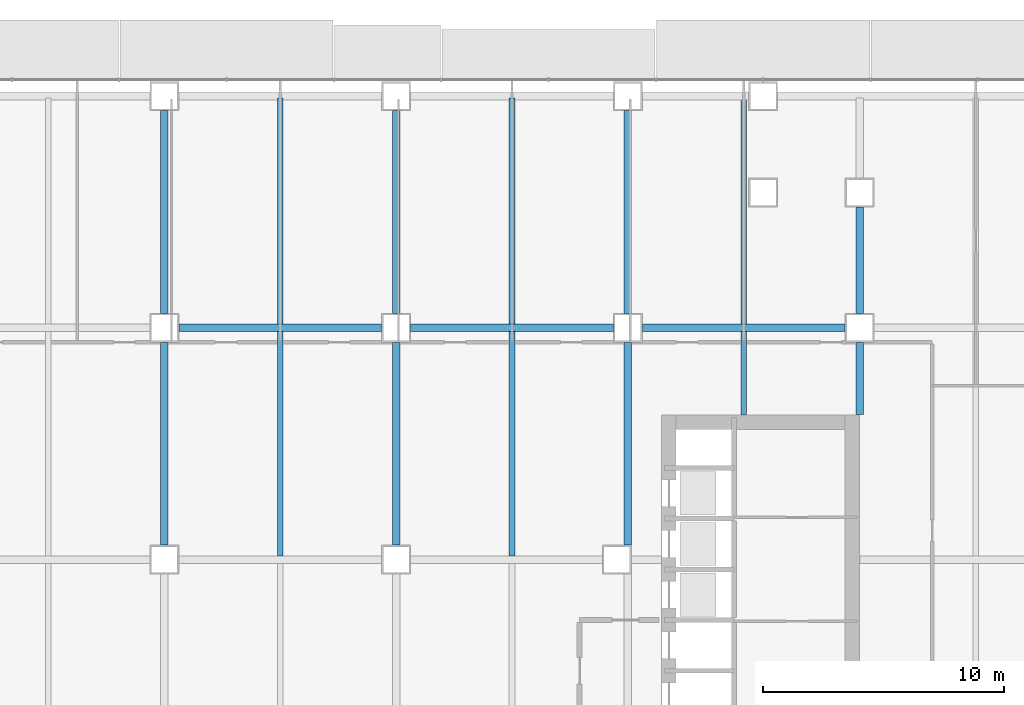
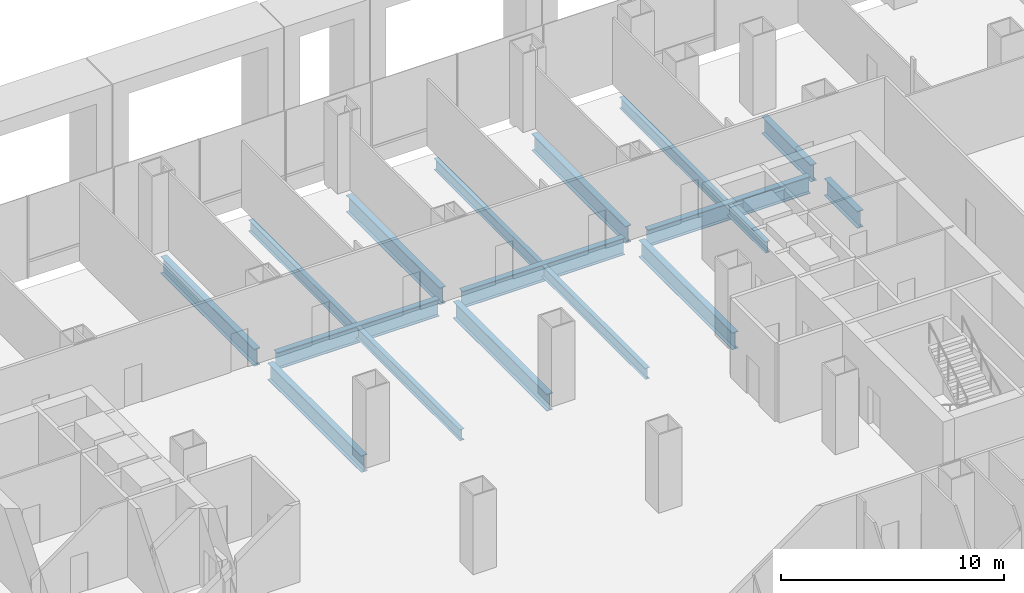
# One storey, part 8 of 23: 17 beams.
"""IFC4 building model written with IfcOpenShell, lengths in metres."""

from ifc_helpers import new_model, si_unit, direction, frame, origin, origin_2d, place, context, subcontext, project, spatial, i_section, extrude, material, material_profile, profile_set, type_object, element, save


model = new_model("IFC4")

# Units and contexts
model_context = context("Model", 3, precision=1e-05, world=origin(), true_north=direction((0.0, 1.0)))
body_context = subcontext(model_context, "Body", "Model", "MODEL_VIEW")
ifc_project = project(units=[si_unit("LENGTHUNIT", "METRE"), si_unit("AREAUNIT", "SQUARE_METRE"), si_unit("VOLUMEUNIT", "CUBIC_METRE"), si_unit("PLANEANGLEUNIT", "RADIAN"), si_unit("MASSUNIT", "GRAM", prefix="KILO")], contexts=[model_context])

# Site, building, storey
site_placement = place(None, origin())
site = spatial("IfcSite", under=ifc_project, at=site_placement, CompositionType="ELEMENT")
building_placement = place(site_placement, origin())
building = spatial("IfcBuilding", under=site, at=building_placement, Name="Cobrizo Arcos Hotel Tower", CompositionType="ELEMENT")
storey_placement = place(building_placement, frame((0.0, 0.0, 15.5)))
storey = spatial("IfcBuildingStorey", under=building, at=storey_placement, Name="L02", CompositionType="ELEMENT", Elevation=15.5)

# Beams
ifc_material = material(Name="Steel ASTM A992 Grade 50", Category="steel")
ifc_material_profile_1 = material_profile(ifc_material, i_section(OverallWidth=0.23046875, OverallDepth=0.6171875, WebThickness=0.01318359375, FlangeThickness=0.022216796875, at=origin_2d()), Name="W24X94")
ifc_profile_set_1 = profile_set([ifc_material_profile_1], Name="Steel ASTM A992 Grade 50")
beam_type_1 = type_object("IfcBeamType", Name="W24X94 podium joist", PredefinedType="JOIST", material=ifc_profile_set_1)
beam_1_placement = place(storey_placement, frame((0.0, 4.95361328125, -0.508544921875), z_axis=(0.0, 1.0, 0.0), x_axis=(-1.0, 0.0, 0.0)))
element("IfcBeam", 1, at=beam_1_placement, inside=storey, type_object=beam_type_1, Name="Podium joist PJ1, L02, no. 018", PredefinedType="JOIST", context=body_context, shape_type="SweptSolid", body=[
    extrude(i_section(OverallWidth=0.23046875, OverallDepth=0.6171875, WebThickness=0.01318359375, FlangeThickness=0.022216796875, at=origin_2d()), origin(), (0.0, 0.0, 1.0), 9.292724609375),
])
beam_2_placement = place(storey_placement, frame((0.0, 14.5537109375, -0.508544921875), z_axis=(0.0, 1.0, 0.0), x_axis=(-1.0, 0.0, 0.0)))
element("IfcBeam", 2, at=beam_2_placement, inside=storey, type_object=beam_type_1, Name="Podium joist PJ1, L02, no. 019", PredefinedType="JOIST", context=body_context, shape_type="SweptSolid", body=[
    extrude(i_section(OverallWidth=0.23046875, OverallDepth=0.6171875, WebThickness=0.01318359375, FlangeThickness=0.022216796875, at=origin_2d()), origin(), (0.0, 0.0, 1.0), 9.356201171875),
])
beam_3_placement = place(storey_placement, frame((9.60009765625, 4.95361328125, -0.508544921875), z_axis=(0.0, 1.0, 0.0), x_axis=(-1.0, 0.0, 0.0)))
element("IfcBeam", 3, at=beam_3_placement, inside=storey, type_object=beam_type_1, Name="Podium joist PJ1, L02, no. 023", PredefinedType="JOIST", context=body_context, shape_type="SweptSolid", body=[
    extrude(i_section(OverallWidth=0.23046875, OverallDepth=0.6171875, WebThickness=0.01318359375, FlangeThickness=0.022216796875, at=origin_2d()), origin(), (0.0, 0.0, 1.0), 9.292724609375),
])
beam_4_placement = place(storey_placement, frame((9.60009765625, 14.5537109375, -0.508544921875), z_axis=(0.0, 1.0, 0.0), x_axis=(-1.0, 0.0, 0.0)))
element("IfcBeam", 4, at=beam_4_placement, inside=storey, type_object=beam_type_1, Name="Podium joist PJ1, L02, no. 024", PredefinedType="JOIST", context=body_context, shape_type="SweptSolid", body=[
    extrude(i_section(OverallWidth=0.23046875, OverallDepth=0.6171875, WebThickness=0.01318359375, FlangeThickness=0.022216796875, at=origin_2d()), origin(), (0.0, 0.0, 1.0), 9.356201171875),
])
beam_5_placement = place(storey_placement, frame((19.199951171875, 10.81005859375, -0.508544921875), z_axis=(0.0, 1.0, 0.0), x_axis=(-1.0, 0.0, 0.0)))
element("IfcBeam", 5, at=beam_5_placement, inside=storey, type_object=beam_type_1, Name="Podium joist PJ1, L02, no. 027", PredefinedType="JOIST", context=body_context, shape_type="SweptSolid", body=[
    extrude(i_section(OverallWidth=0.23046875, OverallDepth=0.6171875, WebThickness=0.01318359375, FlangeThickness=0.022216796875, at=origin_2d()), origin(), (0.0, 0.0, 1.0), 3.436279296875),
])
beam_6_placement = place(storey_placement, frame((19.199951171875, 14.5537109375, -0.508544921875), z_axis=(0.0, 1.0, 0.0), x_axis=(-1.0, 0.0, 0.0)))
element("IfcBeam", 6, at=beam_6_placement, inside=storey, type_object=beam_type_1, Name="Podium joist PJ1, L02, no. 028", PredefinedType="JOIST", context=body_context, shape_type="SweptSolid", body=[
    extrude(i_section(OverallWidth=0.23046875, OverallDepth=0.6171875, WebThickness=0.01318359375, FlangeThickness=0.022216796875, at=origin_2d()), origin(), (0.0, 0.0, 1.0), 9.356201171875),
])
ifc_material_profile_2 = material_profile(ifc_material, i_section(OverallWidth=0.307373046875, OverallDepth=0.927001953125, WebThickness=0.01953125, FlangeThickness=0.031982421875, at=origin_2d()), Name="W36X194")
ifc_profile_set_2 = profile_set([ifc_material_profile_2], Name="Steel ASTM A992 Grade 50")
beam_type_2 = type_object("IfcBeamType", Name="W36X194 podium girder", PredefinedType="BEAM", material=ifc_profile_set_2)
beam_7_placement = place(storey_placement, frame((-4.199951171875, 14.39990234375, -0.66357421875), z_axis=(1.0, 0.0, 0.0), x_axis=(0.0, 1.0, 0.0)))
element("IfcBeam", 7, at=beam_7_placement, inside=storey, type_object=beam_type_2, Name="Podium girder PG1, L02, no. 030", PredefinedType="BEAM", context=body_context, shape_type="SweptSolid", body=[
    extrude(i_section(OverallWidth=0.307373046875, OverallDepth=0.927001953125, WebThickness=0.01953125, FlangeThickness=0.031982421875, at=origin_2d()), origin(), (0.0, 0.0, 1.0), 8.39990234375),
])
beam_8_placement = place(storey_placement, frame((5.39990234375, 14.39990234375, -0.66357421875), z_axis=(1.0, 0.0, 0.0), x_axis=(0.0, 1.0, 0.0)))
element("IfcBeam", 8, at=beam_8_placement, inside=storey, type_object=beam_type_2, Name="Podium girder PG1, L02, no. 031", PredefinedType="BEAM", context=body_context, shape_type="SweptSolid", body=[
    extrude(i_section(OverallWidth=0.307373046875, OverallDepth=0.927001953125, WebThickness=0.01953125, FlangeThickness=0.031982421875, at=origin_2d()), origin(), (0.0, 0.0, 1.0), 8.400146484375),
])
beam_9_placement = place(storey_placement, frame((15.0, 14.39990234375, -0.66357421875), z_axis=(1.0, 0.0, 0.0), x_axis=(0.0, 1.0, 0.0)))
element("IfcBeam", 9, at=beam_9_placement, inside=storey, type_object=beam_type_2, Name="Podium girder PG1, L02, no. 032", PredefinedType="BEAM", context=body_context, shape_type="SweptSolid", body=[
    extrude(i_section(OverallWidth=0.307373046875, OverallDepth=0.927001953125, WebThickness=0.01953125, FlangeThickness=0.031982421875, at=origin_2d()), origin(), (0.0, 0.0, 1.0), 8.39990234375),
])
beam_10_placement = place(storey_placement, frame((-4.800048828125, 5.39990234375, -0.66357421875), z_axis=(0.0, 1.0, 0.0), x_axis=(-1.0, 0.0, 0.0)))
element("IfcBeam", 10, at=beam_10_placement, inside=storey, type_object=beam_type_2, Name="Podium girder PG1, L02, no. 054", PredefinedType="BEAM", context=body_context, shape_type="SweptSolid", body=[
    extrude(i_section(OverallWidth=0.307373046875, OverallDepth=0.927001953125, WebThickness=0.01953125, FlangeThickness=0.031982421875, at=origin_2d()), origin(), (0.0, 0.0, 1.0), 8.400146484375),
])
beam_11_placement = place(storey_placement, frame((-4.800048828125, 15.0, -0.66357421875), z_axis=(0.0, 1.0, 0.0), x_axis=(-1.0, 0.0, 0.0)))
element("IfcBeam", 11, at=beam_11_placement, inside=storey, type_object=beam_type_2, Name="Podium girder PG1, L02, no. 055", PredefinedType="BEAM", context=body_context, shape_type="SweptSolid", body=[
    extrude(i_section(OverallWidth=0.307373046875, OverallDepth=0.927001953125, WebThickness=0.01953125, FlangeThickness=0.031982421875, at=origin_2d()), origin(), (0.0, 0.0, 1.0), 8.39990234375),
])
beam_12_placement = place(storey_placement, frame((4.800048828125, 5.39990234375, -0.66357421875), z_axis=(0.0, 1.0, 0.0), x_axis=(-1.0, 0.0, 0.0)))
element("IfcBeam", 12, at=beam_12_placement, inside=storey, type_object=beam_type_2, Name="Podium girder PG1, L02, no. 059", PredefinedType="BEAM", context=body_context, shape_type="SweptSolid", body=[
    extrude(i_section(OverallWidth=0.307373046875, OverallDepth=0.927001953125, WebThickness=0.01953125, FlangeThickness=0.031982421875, at=origin_2d()), origin(), (0.0, 0.0, 1.0), 8.400146484375),
])
beam_13_placement = place(storey_placement, frame((4.800048828125, 15.0, -0.66357421875), z_axis=(0.0, 1.0, 0.0), x_axis=(-1.0, 0.0, 0.0)))
element("IfcBeam", 13, at=beam_13_placement, inside=storey, type_object=beam_type_2, Name="Podium girder PG1, L02, no. 060", PredefinedType="BEAM", context=body_context, shape_type="SweptSolid", body=[
    extrude(i_section(OverallWidth=0.307373046875, OverallDepth=0.927001953125, WebThickness=0.01953125, FlangeThickness=0.031982421875, at=origin_2d()), origin(), (0.0, 0.0, 1.0), 8.39990234375),
])
beam_14_placement = place(storey_placement, frame((14.39990234375, 5.39990234375, -0.66357421875), z_axis=(0.0, 1.0, 0.0), x_axis=(-1.0, 0.0, 0.0)))
element("IfcBeam", 14, at=beam_14_placement, inside=storey, type_object=beam_type_2, Name="Podium girder PG1, L02, no. 064", PredefinedType="BEAM", context=body_context, shape_type="SweptSolid", body=[
    extrude(i_section(OverallWidth=0.307373046875, OverallDepth=0.927001953125, WebThickness=0.01953125, FlangeThickness=0.031982421875, at=origin_2d()), origin(), (0.0, 0.0, 1.0), 8.400146484375),
])
beam_15_placement = place(storey_placement, frame((14.39990234375, 15.0, -0.66357421875), z_axis=(0.0, 1.0, 0.0), x_axis=(-1.0, 0.0, 0.0)))
element("IfcBeam", 15, at=beam_15_placement, inside=storey, type_object=beam_type_2, Name="Podium girder PG1, L02, no. 065", PredefinedType="BEAM", context=body_context, shape_type="SweptSolid", body=[
    extrude(i_section(OverallWidth=0.307373046875, OverallDepth=0.927001953125, WebThickness=0.01953125, FlangeThickness=0.031982421875, at=origin_2d()), origin(), (0.0, 0.0, 1.0), 8.39990234375),
])
beam_16_placement = place(storey_placement, frame((24.0, 10.81005859375, -0.66357421875), z_axis=(0.0, 1.0, 0.0), x_axis=(-1.0, 0.0, 0.0)))
element("IfcBeam", 16, at=beam_16_placement, inside=storey, type_object=beam_type_2, Name="Podium girder PG1, L02, no. 069", PredefinedType="BEAM", context=body_context, shape_type="SweptSolid", body=[
    extrude(i_section(OverallWidth=0.307373046875, OverallDepth=0.927001953125, WebThickness=0.01953125, FlangeThickness=0.031982421875, at=origin_2d()), origin(), (0.0, 0.0, 1.0), 2.989990234375),
])
beam_17_placement = place(storey_placement, frame((24.0, 15.0, -0.66357421875), z_axis=(0.0, 1.0, 0.0), x_axis=(-1.0, 0.0, 0.0)))
element("IfcBeam", 17, at=beam_17_placement, inside=storey, type_object=beam_type_2, Name="Podium girder PG1, L02, no. 070", PredefinedType="BEAM", context=body_context, shape_type="SweptSolid", body=[
    extrude(i_section(OverallWidth=0.307373046875, OverallDepth=0.927001953125, WebThickness=0.01953125, FlangeThickness=0.031982421875, at=origin_2d()), origin(), (0.0, 0.0, 1.0), 4.39990234375),
])

save(model, "model.ifc")
